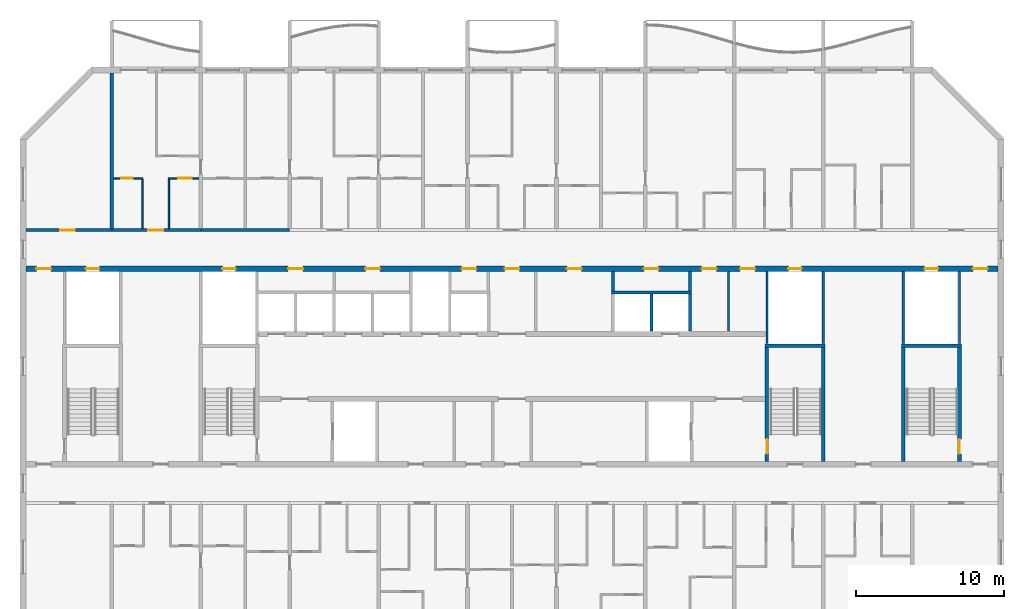
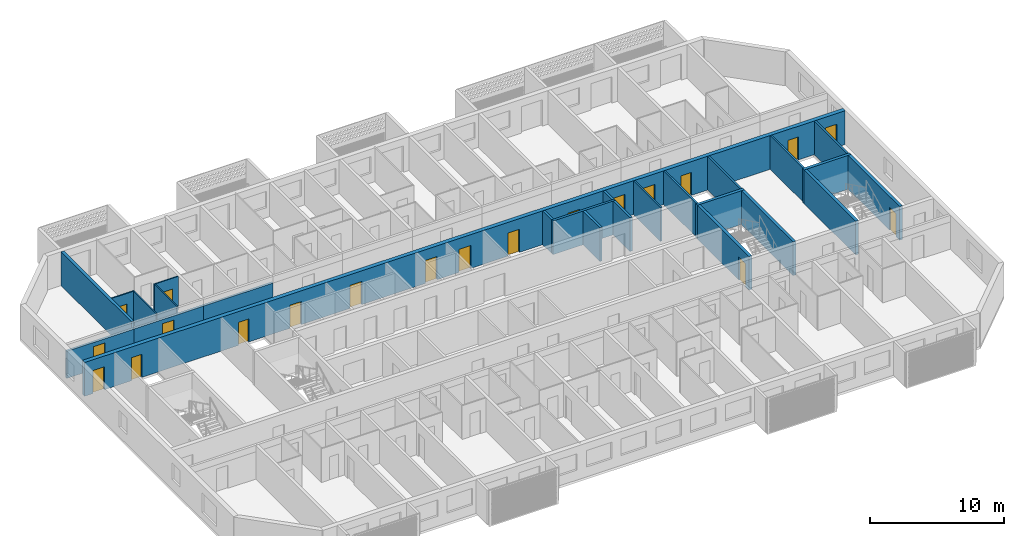
# One storey, part 7 of 26: 25 walls, 20 doors, 20 openings.
"""IFC4 building model written with IfcOpenShell, lengths in metres."""

import ifcopenshell
import ifcopenshell.guid

model = None  # the IFC model being written
_history = None  # IfcOwnerHistory: only IFC2X3 demands one
_inside = {}  # id of a spatial element -> (the spatial element, [elements in it])
_under = {}  # id of a project, library or spatial element -> (it, [spatial elements below it])
_declared = {}  # id of a project -> (the project, [libraries it declares])
_typed = {}  # id of a type object -> (the type object, [elements of that type])
_made_of = {}  # id of a material, layer set ... -> (it, [elements and type objects made of it])


def new_model(schema):
    """Start an empty IFC model of exactly this schema.

    Asked for "IFC4X3", IfcOpenShell would pick the latest addendum, in which some entities
    have other attributes; the version numbers below select the first issue.
    IFC2X3 requires an IfcOwnerHistory on every rooted entity: one is made here for all.
    """
    global model, _history
    if schema == "IFC4X3":
        model = ifcopenshell.file(schema_version=(4, 3, 0, 0))
    else:
        model = ifcopenshell.file(schema=schema)
    _inside.clear()
    _under.clear()
    _declared.clear()
    _typed.clear()
    _made_of.clear()
    _history = None
    if model.schema == "IFC2X3":
        org = make("IfcOrganization", Name="unknown")
        user = make(
            "IfcPersonAndOrganization",
            ThePerson=make("IfcPerson", FamilyName="unknown"),
            TheOrganization=org,
        )
        app = make(
            "IfcApplication",
            ApplicationDeveloper=org,
            Version="unknown",
            ApplicationFullName="unknown",
            ApplicationIdentifier="unknown",
        )
        _history = make(
            "IfcOwnerHistory",
            OwningUser=user,
            OwningApplication=app,
            ChangeAction="ADDED",
            CreationDate=0,
        )
    return model


def make(cls, **values):
    """One entity of the class cls with the attributes given. An attribute that is None is left unset."""
    return model.create_entity(
        cls, **{name: value for name, value in values.items() if value is not None}
    )


def rooted(cls, **values):
    """An entity with a GlobalId (a new one), such as an element, a storey or a relation."""
    return make(cls, GlobalId=ifcopenshell.guid.new(), OwnerHistory=_history, **values)


def si_unit(unit_type, name, prefix=None):
    """IfcSIUnit, for example si_unit("LENGTHUNIT", "METRE", prefix="MILLI")."""
    return make("IfcSIUnit", UnitType=unit_type, Prefix=prefix, Name=name)


def assignment(units):
    """IfcUnitAssignment: the units of a project."""
    return None if units is None else make("IfcUnitAssignment", Units=units)


def point(xyz):
    """IfcCartesianPoint."""
    return None if xyz is None else make("IfcCartesianPoint", Coordinates=xyz)


def direction(xyz):
    """IfcDirection."""
    return None if xyz is None else make("IfcDirection", DirectionRatios=xyz)


def frame(location, z_axis=None, x_axis=None):
    """IfcAxis2Placement3D, a coordinate frame: its origin and axes. An axis left out is left unset."""
    return make(
        "IfcAxis2Placement3D",
        Location=point(location),
        Axis=direction(z_axis),
        RefDirection=direction(x_axis),
    )


def frame_2d(location, x_axis=None):
    """IfcAxis2Placement2D, a coordinate frame in the plane: its origin and x axis."""
    return make(
        "IfcAxis2Placement2D", Location=point(location), RefDirection=direction(x_axis)
    )


def origin():
    """The frame at (0, 0, 0) with its axes left unset."""
    return frame((0.0, 0.0, 0.0))


def place(relative_to, where):
    """IfcLocalPlacement: puts the frame where relative to a parent placement (None: the world)."""
    return make(
        "IfcLocalPlacement", PlacementRelTo=relative_to, RelativePlacement=where
    )


def context(
    kind, dimensions, precision=None, world=None, true_north=None, identifier=None
):
    """IfcGeometricRepresentationContext, for example the 3D "Model" context."""
    return make(
        "IfcGeometricRepresentationContext",
        ContextIdentifier=identifier,
        ContextType=kind,
        CoordinateSpaceDimension=dimensions,
        Precision=precision,
        WorldCoordinateSystem=world,
        TrueNorth=true_north,
    )


def subcontext(parent, identifier, kind, view, scale=None):
    """IfcGeometricRepresentationSubContext, for example "Body" below "Model"."""
    return make(
        "IfcGeometricRepresentationSubContext",
        ContextIdentifier=identifier,
        ContextType=kind,
        ParentContext=parent,
        TargetScale=scale,
        TargetView=view,
    )


def project(units=None, contexts=None):
    """IfcProject with its units and contexts."""
    return rooted(
        "IfcProject",
        Name="project",
        RepresentationContexts=contexts,
        UnitsInContext=assignment(units),
    )


def spatial(cls, under=None, at=None, **own):
    """A site, building, storey or space (cls), placed at a placement, below another one or the project."""
    s = rooted(cls, ObjectPlacement=at, **own)
    if under is not None:
        _under.setdefault(under.id(), (under, []))[1].append(s)
    return s


def profile(cls, at=None, kind="AREA", **sizes):
    """A parametric profile (cls). Its sizes go by their IFC names, for example OverallWidth=200.0."""
    return make(cls, ProfileType=kind, Position=at, **sizes)


def rectangle(**sizes):
    """IfcRectangleProfileDef."""
    return profile("IfcRectangleProfileDef", **sizes)


def extrude(swept, where, along, depth):
    """IfcExtrudedAreaSolid: the profile swept, set in the frame where, extruded along a direction by depth."""
    return make(
        "IfcExtrudedAreaSolid",
        SweptArea=swept,
        Position=where,
        ExtrudedDirection=direction(along),
        Depth=depth,
    )


def shape(context_of_items, identifier, shape_type, items):
    """IfcShapeRepresentation: the items that make up one representation, for example the "Body"."""
    return make(
        "IfcShapeRepresentation",
        ContextOfItems=context_of_items,
        RepresentationIdentifier=identifier,
        RepresentationType=shape_type,
        Items=items,
    )


def material(Name=None, Category=None):
    """IfcMaterial."""
    return make("IfcMaterial", Name=Name, Category=Category)


def layer(
    of_material, thickness, ventilated=None, Name=None, Category=None, Priority=None
):
    """IfcMaterialLayer: one layer of a wall or slab, of a material (None: an air gap)."""
    return make(
        "IfcMaterialLayer",
        Material=of_material,
        LayerThickness=thickness,
        IsVentilated=ventilated,
        Name=Name,
        Category=Category,
        Priority=Priority,
    )


def layer_set(layers, Name=None):
    """IfcMaterialLayerSet."""
    return make("IfcMaterialLayerSet", MaterialLayers=layers, LayerSetName=Name)


def made_of(thing, what):
    """Note that an element or type object is made of a material, layer set ...; save() writes the relation."""
    if what is not None:
        _made_of.setdefault(what.id(), (what, []))[1].append(thing)
    return thing


def type_object(cls, material=None, **own):
    """A type object (cls), such as IfcWallType, which elements share."""
    return made_of(rooted(cls, **own), material)


def element(
    cls,
    number,
    at=None,
    inside=None,
    cuts=None,
    type_object=None,
    material=None,
    context=None,
    identifier="Body",
    shape_type=None,
    held_by="IfcProductDefinitionShape",
    body=None,
    shapes=None,
    **own,
):
    """One element of the class cls, such as IfcWall. Its Tag is "e" and its number.

    at: its placement. inside: the storey or other place that contains it. cuts: it is an
    opening in that element (IfcRelVoidsElement). A single representation is given by context,
    identifier, shape_type and body (its items); several are given by shapes. held_by: the class
    of the entity that holds the representations. save() writes the other relations.
    """
    e = rooted(cls, Tag="e%d" % number, ObjectPlacement=at, **own)
    if body is not None:
        shapes = [shape(context, identifier, shape_type, body)]
    if shapes is not None:
        e.Representation = make(held_by, Representations=shapes)
    if inside is not None:
        _inside.setdefault(inside.id(), (inside, []))[1].append(e)
    if cuts is not None:
        rooted(
            "IfcRelVoidsElement", RelatingBuildingElement=cuts, RelatedOpeningElement=e
        )
    if type_object is not None:
        _typed.setdefault(type_object.id(), (type_object, []))[1].append(e)
    return made_of(e, material)


def fill(opening, filler):
    """IfcRelFillsElement: the door or window that sits in an opening."""
    return rooted(
        "IfcRelFillsElement",
        RelatingOpeningElement=opening,
        RelatedBuildingElement=filler,
    )


def aggregate(whole, parts):
    """IfcRelAggregates: a whole, such as a stair, and the parts it consists of."""
    return rooted("IfcRelAggregates", RelatingObject=whole, RelatedObjects=parts)


def save(model, path):
    """Write the relations noted so far, then the file.

    IfcRelAggregates (storeys below a building ...), IfcRelContainedInSpatialStructure (elements
    in a storey), IfcRelDefinesByType, IfcRelAssociatesMaterial and IfcRelDeclares: one each for
    every whole, place, type object, material and project.
    """
    for whole, parts in _under.values():
        aggregate(whole, parts)
    for where, things in _inside.values():
        rooted(
            "IfcRelContainedInSpatialStructure",
            RelatedElements=things,
            RelatingStructure=where,
        )
    for kind, things in _typed.values():
        rooted("IfcRelDefinesByType", RelatedObjects=things, RelatingType=kind)
    for what, things in _made_of.values():
        rooted("IfcRelAssociatesMaterial", RelatedObjects=things, RelatingMaterial=what)
    for by, libraries in _declared.values():
        rooted("IfcRelDeclares", RelatingContext=by, RelatedDefinitions=libraries)
    model.write(path)


model = new_model("IFC4")

# Units and contexts
model_context = context("Model", 3, precision=1e-05, world=origin(), true_north=direction((0.0, 1.0)))
body_context = subcontext(model_context, "Body", "Model", "MODEL_VIEW")
ifc_project = project(units=[si_unit("LENGTHUNIT", "METRE"), si_unit("AREAUNIT", "SQUARE_METRE"), si_unit("VOLUMEUNIT", "CUBIC_METRE"), si_unit("PLANEANGLEUNIT", "RADIAN"), si_unit("MASSUNIT", "GRAM", prefix="KILO")], contexts=[model_context])

# Site, building, storey
site_placement = place(None, origin())
site = spatial("IfcSite", under=ifc_project, at=site_placement, CompositionType="ELEMENT")
building_placement = place(site_placement, origin())
building = spatial("IfcBuilding", under=site, at=building_placement, Name="Poui Terraces", CompositionType="ELEMENT")
storey_placement = place(building_placement, frame((0.0, 0.0, 241.199951171875)))
storey = spatial("IfcBuildingStorey", under=building, at=storey_placement, Name="L67", CompositionType="ELEMENT", Elevation=241.199951171875)

# Wall, opening, door
ifc_material_1 = material(Name="Concrete 50 MPa", Category="concrete")
ifc_layer_1 = layer(ifc_material_1, 0.199951171875)
ifc_layer_set_1 = layer_set([ifc_layer_1], Name="Concrete 50 MPa")
wall_type_1 = type_object("IfcWallType", Name="CORRIDOR WALL 200 50MPa", PredefinedType="SHEAR", material=ifc_layer_set_1)
wall_1_placement = place(storey_placement, frame((18.199951171875, 30.39990234375, 0.0), z_axis=(0.0, 0.0, 1.0), x_axis=(1.0, 0.0, 0.0)))
wall_1 = element("IfcWall", 1, at=wall_1_placement, inside=storey, type_object=wall_type_1, Name="CORRIDOR WALL LINE E BAY 1", PredefinedType="SHEAR", context=body_context, shape_type="SweptSolid", body=[
    extrude(rectangle(XDim=5.800048828125, YDim=0.199951171875, at=frame_2d((2.89990234375, 0.0))), origin(), (0.0, 0.0, 1.0), 2.47998046875),
])
opening_1_placement = place(wall_1_placement, frame((2.300048828125, 0.0, 0.0)))
opening_1 = element("IfcOpeningElement", 2, at=opening_1_placement, cuts=wall_1, Name="Opening D100", PredefinedType="OPENING", context=body_context, shape_type="SweptSolid", body=[
    extrude(rectangle(XDim=1.0, YDim=2.10009765625, at=frame_2d((0.5, 1.050048828125))), frame((0.0, 0.10986328125, 0.0), z_axis=(0.0, -1.0, 0.0), x_axis=(1.0, 0.0, 0.0)), (0.0, 0.0, 1.0), 0.219970703125),
])
ifc_material_2 = material(Name="Solid core timber door", Category="wood")
door_type_1 = type_object("IfcDoorType", Name="ACCESSIBLE INTERNAL DOOR 1000 X 2100", OperationType="NOTDEFINED", PredefinedType="DOOR", material=ifc_material_2)
door_1_placement = place(opening_1_placement, origin())
door_1 = element("IfcDoor", 3, at=door_1_placement, inside=storey, type_object=door_type_1, Name="ACCESSIBLE INTERNAL DOOR 025", OperationType="SINGLE_SWING_LEFT", OverallHeight=2.10009765625, OverallWidth=1.0, PredefinedType="DOOR", context=body_context, shape_type="SweptSolid", body=[
    extrude(rectangle(XDim=1.0, YDim=2.10009765625, at=frame_2d((0.5, 1.050048828125))), frame((0.0, 0.02490234375, 0.0), z_axis=(0.0, -1.0, 0.0), x_axis=(1.0, 0.0, 0.0)), (0.0, 0.0, 1.0), 0.050048828125),
])
fill(opening_1, door_1)

wall_2_placement = place(storey_placement, frame((24.0, 30.39990234375, 0.0), z_axis=(0.0, 0.0, 1.0), x_axis=(1.0, 0.0, 0.0)))
wall_2 = element("IfcWall", 4, at=wall_2_placement, inside=storey, type_object=wall_type_1, Name="CORRIDOR WALL LINE E BAY 2", PredefinedType="SHEAR", context=body_context, shape_type="SweptSolid", body=[
    extrude(rectangle(XDim=6.0, YDim=0.199951171875, at=frame_2d((3.0, 0.0))), origin(), (0.0, 0.0, 1.0), 2.47998046875),
])
opening_2_placement = place(wall_2_placement, frame((2.449951171875, 0.0, 0.0)))
opening_2 = element("IfcOpeningElement", 5, at=opening_2_placement, cuts=wall_2, Name="Opening FD30S", PredefinedType="OPENING", context=body_context, shape_type="SweptSolid", body=[
    extrude(rectangle(XDim=1.0, YDim=2.10009765625, at=frame_2d((0.5, 1.050048828125))), frame((0.0, 0.10986328125, 0.0), z_axis=(0.0, -1.0, 0.0), x_axis=(1.0, 0.0, 0.0)), (0.0, 0.0, 1.0), 0.219970703125),
])
ifc_material_3 = material(Name="Steel fire door", Category="steel")
door_type_2 = type_object("IfcDoorType", Name="FLAT ENTRANCE DOOR 1000 X 2100", OperationType="NOTDEFINED", PredefinedType="DOOR", material=ifc_material_3)
door_2_placement = place(opening_2_placement, origin())
door_2 = element("IfcDoor", 6, at=door_2_placement, inside=storey, type_object=door_type_2, Name="FLAT ENTRANCE DOOR 028", OperationType="SINGLE_SWING_LEFT", OverallHeight=2.10009765625, OverallWidth=1.0, PredefinedType="DOOR", context=body_context, shape_type="SweptSolid", body=[
    extrude(rectangle(XDim=1.0, YDim=2.10009765625, at=frame_2d((0.5, 1.050048828125))), frame((0.0, 0.02490234375, 0.0), z_axis=(0.0, -1.0, 0.0), x_axis=(1.0, 0.0, 0.0)), (0.0, 0.0, 1.0), 0.050048828125),
])
fill(opening_2, door_2)

# Walls
wall_3_placement = place(storey_placement, frame((30.0, 30.39990234375, 0.0), z_axis=(0.0, 0.0, 1.0), x_axis=(1.0, 0.0, 0.0)))
element("IfcWall", 7, at=wall_3_placement, inside=storey, type_object=wall_type_1, Name="CORRIDOR WALL LINE E BAY 3", PredefinedType="SHEAR", context=body_context, shape_type="SweptSolid", body=[
    extrude(rectangle(XDim=6.0, YDim=0.199951171875, at=frame_2d((3.0, 0.0))), origin(), (0.0, 0.0, 1.0), 2.47998046875),
])
ifc_layer_2 = layer(ifc_material_1, 0.25)
ifc_layer_set_2 = layer_set([ifc_layer_2], Name="Concrete 50 MPa")
wall_type_2 = type_object("IfcWallType", Name="CROSS WALL 250 50MPa", PredefinedType="SHEAR", material=ifc_layer_set_2)
wall_4_placement = place(storey_placement, frame((24.0, 30.5, 0.0), z_axis=(0.0, 0.0, 1.0), x_axis=(0.0, 1.0, 0.0)))
element("IfcWall", 8, at=wall_4_placement, inside=storey, type_object=wall_type_2, Name="CROSS WALL LINE 5 NORTH", PredefinedType="SHEAR", context=body_context, shape_type="SweptSolid", body=[
    extrude(rectangle(XDim=10.5, YDim=0.25, at=frame_2d((5.25, 0.0))), origin(), (0.0, 0.0, 1.0), 3.080078125),
])

# Wall, opening, door
ifc_material_4 = material(Name="Plasterboard partition")
ifc_layer_3 = layer(ifc_material_4, 0.10009765625)
ifc_layer_set_3 = layer_set([ifc_layer_3], Name="Plasterboard partition")
wall_type_3 = type_object("IfcWallType", Name="FLAT PARTITION 100", PredefinedType="PARTITIONING", material=ifc_layer_set_3)
wall_5_placement = place(storey_placement, frame((24.135009765625, 33.89990234375, 0.0), z_axis=(0.0, 0.0, 1.0), x_axis=(1.0, 0.0, 0.0)))
wall_5 = element("IfcWall", 9, at=wall_5_placement, inside=storey, type_object=wall_type_3, Name="FLAT PARTITION 100", PredefinedType="PARTITIONING", context=body_context, shape_type="SweptSolid", body=[
    extrude(rectangle(XDim=1.965087890625, YDim=0.10009765625, at=frame_2d((0.982421875, 0.0))), origin(), (0.0, 0.0, 1.0), 3.080078125),
])
opening_3_placement = place(wall_5_placement, frame((0.489990234375, 0.0, 0.0)))
opening_3 = element("IfcOpeningElement", 10, at=opening_3_placement, cuts=wall_5, Name="Opening D80", PredefinedType="OPENING", context=body_context, shape_type="SweptSolid", body=[
    extrude(rectangle(XDim=0.800048828125, YDim=2.10009765625, at=frame_2d((0.39990234375, 1.050048828125))), frame((0.0, 0.06005859375, 0.0), z_axis=(0.0, -1.0, 0.0), x_axis=(1.0, 0.0, 0.0)), (0.0, 0.0, 1.0), 0.1201171875),
])
door_type_3 = type_object("IfcDoorType", Name="BATHROOM, LAUNDRY AND STORE DOOR 800 X 2100", OperationType="NOTDEFINED", PredefinedType="DOOR", material=ifc_material_2)
door_3_placement = place(opening_3_placement, frame((0.800048828125, 0.0, 0.0), z_axis=(0.0, 0.0, 1.0), x_axis=(-1.0, 0.0, 0.0)))
door_3 = element("IfcDoor", 11, at=door_3_placement, inside=storey, type_object=door_type_3, Name="BATHROOM, LAUNDRY AND STORE DOOR 027", OperationType="SINGLE_SWING_LEFT", OverallHeight=2.10009765625, OverallWidth=0.800048828125, PredefinedType="DOOR", context=body_context, shape_type="SweptSolid", body=[
    extrude(rectangle(XDim=0.800048828125, YDim=2.10009765625, at=frame_2d((0.39990234375, 1.050048828125))), frame((0.0, 0.02490234375, 0.0), z_axis=(0.0, -1.0, 0.0), x_axis=(1.0, 0.0, 0.0)), (0.0, 0.0, 1.0), 0.050048828125),
])
fill(opening_3, door_3)

wall_6_placement = place(storey_placement, frame((27.800048828125, 33.89990234375, 0.0), z_axis=(0.0, 0.0, 1.0), x_axis=(1.0, 0.0, 0.0)))
wall_6 = element("IfcWall", 12, at=wall_6_placement, inside=storey, type_object=wall_type_3, Name="FLAT PARTITION 100", PredefinedType="PARTITIONING", context=body_context, shape_type="SweptSolid", body=[
    extrude(rectangle(XDim=2.06494140625, YDim=0.10009765625, at=frame_2d((1.032470703125, 0.0))), origin(), (0.0, 0.0, 1.0), 3.080078125),
])
opening_4_placement = place(wall_6_placement, frame((0.675048828125, 0.0, 0.0)))
opening_4 = element("IfcOpeningElement", 13, at=opening_4_placement, cuts=wall_6, Name="Opening D90", PredefinedType="OPENING", context=body_context, shape_type="SweptSolid", body=[
    extrude(rectangle(XDim=0.89990234375, YDim=2.10009765625, at=frame_2d((0.449951171875, 1.050048828125))), frame((0.0, 0.06005859375, 0.0), z_axis=(0.0, -1.0, 0.0), x_axis=(1.0, 0.0, 0.0)), (0.0, 0.0, 1.0), 0.1201171875),
])
door_type_4 = type_object("IfcDoorType", Name="INTERNAL DOOR 900 X 2100", OperationType="NOTDEFINED", PredefinedType="DOOR", material=ifc_material_2)
door_4_placement = place(opening_4_placement, frame((0.89990234375, 0.0, 0.0), z_axis=(0.0, 0.0, 1.0), x_axis=(-1.0, 0.0, 0.0)))
door_4 = element("IfcDoor", 14, at=door_4_placement, inside=storey, type_object=door_type_4, Name="INTERNAL DOOR 030", OperationType="SINGLE_SWING_RIGHT", OverallHeight=2.10009765625, OverallWidth=0.89990234375, PredefinedType="DOOR", context=body_context, shape_type="SweptSolid", body=[
    extrude(rectangle(XDim=0.89990234375, YDim=2.10009765625, at=frame_2d((0.449951171875, 1.050048828125))), frame((0.0, 0.02490234375, 0.0), z_axis=(0.0, -1.0, 0.0), x_axis=(1.0, 0.0, 0.0)), (0.0, 0.0, 1.0), 0.050048828125),
])
fill(opening_4, door_4)

# Walls
for number, where, z_axis, x_axis, name in (
    (15, (26.050048828125, 30.510009765625, 0.0), (0.0, 0.0, 1.0), (0.0, 1.0, 0.0), "FLAT PARTITION 100"),
    (16, (27.85009765625, 30.510009765625, 0.0), (0.0, 0.0, 1.0), (0.0, 1.0, 0.0), "FLAT PARTITION 100"),
):
    element("IfcWall", number, at=place(storey_placement, frame(where, z_axis=z_axis, x_axis=x_axis)), inside=storey, type_object=wall_type_3, Name=name, PredefinedType="PARTITIONING", context=body_context, shape_type="SweptSolid", body=[
        extrude(rectangle(XDim=3.340087890625, YDim=0.10009765625, at=frame_2d((1.669921875, 0.0))), origin(), (0.0, 0.0, 1.0), 3.080078125),
    ])
ifc_layer_4 = layer(ifc_material_4, 0.14990234375)
ifc_layer_set_4 = layer_set([ifc_layer_4], Name="Plasterboard partition")
wall_type_4 = type_object("IfcWallType", Name="PARTITION WALL 150", PredefinedType="PARTITIONING", material=ifc_layer_set_4)
wall_7_placement = place(storey_placement, frame((65.60009765625, 23.5849609375, 0.0), z_axis=(0.0, 0.0, 1.0), x_axis=(0.0, 1.0, 0.0)))
element("IfcWall", 17, at=wall_7_placement, inside=storey, type_object=wall_type_4, Name="PARTITION WALL 150", PredefinedType="PARTITIONING", context=body_context, shape_type="SweptSolid", body=[
    extrude(rectangle(XDim=4.030029296875, YDim=0.14990234375, at=frame_2d((2.01513671875, 0.0))), origin(), (0.0, 0.0, 1.0), 3.080078125),
])
ifc_material_5 = material(Name="Fire-rated masonry wall", Category="masonry")
ifc_layer_5 = layer(ifc_material_5, 0.199951171875)
ifc_layer_set_5 = layer_set([ifc_layer_5], Name="Fire-rated masonry wall")
wall_type_5 = type_object("IfcWallType", Name="PLANT ROOM WALL 200", PredefinedType="PARTITIONING", material=ifc_layer_set_5)
for number, where, z_axis, x_axis, name in (
    (18, (57.800048828125, 26.300048828125, 0.0), (0.0, 0.0, 1.0), (0.0, 1.0, 0.0), "PLANT ROOM WALL 200"),
    (19, (63.0, 26.300048828125, 0.0), (0.0, 0.0, 1.0), (0.0, 1.0, 0.0), "PLANT ROOM WALL 200"),
):
    element("IfcWall", number, at=place(storey_placement, frame(where, z_axis=z_axis, x_axis=x_axis)), inside=storey, type_object=wall_type_5, Name=name, PredefinedType="PARTITIONING", context=body_context, shape_type="SweptSolid", body=[
        extrude(rectangle(XDim=1.31494140625, YDim=0.199951171875, at=frame_2d((0.657470703125, 0.0))), origin(), (0.0, 0.0, 1.0), 3.080078125),
    ])
ifc_material_6 = material(Name="Fire-rated plasterboard riser wall")
ifc_layer_6 = layer(ifc_material_6, 0.14990234375)
ifc_layer_set_6 = layer_set([ifc_layer_6], Name="Fire-rated plasterboard riser wall")
wall_type_6 = type_object("IfcWallType", Name="RISER WALL 150", PredefinedType="PARTITIONING", material=ifc_layer_set_6)
for number, where, z_axis, x_axis, name in (
    (20, (68.199951171875, 22.735107421875, 0.0), (0.0, 0.0, 1.0), (0.0, 1.0, 0.0), "RISER WALL 150"),
    (21, (72.0, 22.735107421875, 0.0), (0.0, 0.0, 1.0), (0.0, 1.0, 0.0), "RISER WALL 150"),
    (22, (77.39990234375, 22.735107421875, 0.0), (0.0, 0.0, 1.0), (0.0, 1.0, 0.0), "RISER WALL 150"),
    (23, (81.199951171875, 22.735107421875, 0.0), (0.0, 0.0, 1.0), (0.0, 1.0, 0.0), "RISER WALL 150"),
):
    element("IfcWall", number, at=place(storey_placement, frame(where, z_axis=z_axis, x_axis=x_axis)), inside=storey, type_object=wall_type_6, Name=name, PredefinedType="PARTITIONING", context=body_context, shape_type="SweptSolid", body=[
        extrude(rectangle(XDim=4.8798828125, YDim=0.14990234375, at=frame_2d((2.43994140625, 0.0))), origin(), (0.0, 0.0, 1.0), 3.080078125),
    ])
ifc_material_7 = material(Name="Fire-rated masonry shaft wall", Category="masonry")
ifc_layer_7 = layer(ifc_material_7, 0.199951171875)
ifc_layer_set_7 = layer_set([ifc_layer_7], Name="Fire-rated masonry shaft wall")
wall_type_7 = type_object("IfcWallType", Name="SHAFT WALL 200", PredefinedType="PARTITIONING", material=ifc_layer_set_7)
wall_8_placement = place(storey_placement, frame((57.699951171875, 26.199951171875, 0.0), z_axis=(0.0, 0.0, 1.0), x_axis=(1.0, 0.0, 0.0)))
element("IfcWall", 24, at=wall_8_placement, inside=storey, type_object=wall_type_7, Name="SHAFT WALL 200", PredefinedType="PARTITIONING", context=body_context, shape_type="SweptSolid", body=[
    extrude(rectangle(XDim=5.400146484375, YDim=0.199951171875, at=frame_2d((2.7001953125, 0.0))), origin(), (0.0, 0.0, 1.0), 3.080078125),
])
for number, where, z_axis, x_axis, name in (
    (25, (60.39990234375, 23.5849609375, 0.0), (0.0, 0.0, 1.0), (0.0, 1.0, 0.0), "SHAFT WALL 200"),
    (26, (63.0, 23.5849609375, 0.0), (0.0, 0.0, 1.0), (0.0, 1.0, 0.0), "SHAFT WALL 200"),
):
    element("IfcWall", number, at=place(storey_placement, frame(where, z_axis=z_axis, x_axis=x_axis)), inside=storey, type_object=wall_type_7, Name=name, PredefinedType="PARTITIONING", context=body_context, shape_type="SweptSolid", body=[
        extrude(rectangle(XDim=2.51513671875, YDim=0.199951171875, at=frame_2d((1.257568359375, 0.0))), origin(), (0.0, 0.0, 1.0), 3.080078125),
    ])

# Wall, openings, doors
ifc_layer_8 = layer(ifc_material_1, 0.35009765625)
ifc_layer_set_8 = layer_set([ifc_layer_8], Name="Concrete 50 MPa")
wall_type_8 = type_object("IfcWallType", Name="SPINE WALL 350 50 MPA", PredefinedType="SOLIDWALL", material=ifc_layer_set_8)
wall_9_placement = place(storey_placement, frame((18.199951171875, 27.800048828125, 0.0), z_axis=(0.0, 0.0, 1.0), x_axis=(1.0, 0.0, 0.0)))
wall_9 = element("IfcWall", 27, at=wall_9_placement, inside=storey, type_object=wall_type_8, Name="SPINE WALL", PredefinedType="SOLIDWALL", context=body_context, shape_type="SweptSolid", body=[
    extrude(rectangle(XDim=65.60009765625, YDim=0.35009765625, at=frame_2d((32.800048828125, 0.0))), origin(), (0.0, 0.0, 1.0), 3.080078125),
])
opening_5_placement = place(wall_9_placement, frame((0.699951171875, 0.0, 0.0)))
opening_5 = element("IfcOpeningElement", 28, at=opening_5_placement, cuts=wall_9, Name="Opening FDL", PredefinedType="OPENING", context=body_context, shape_type="SweptSolid", body=[
    extrude(rectangle(XDim=1.0, YDim=2.10009765625, at=frame_2d((0.5, 1.050048828125))), frame((0.0, 0.18505859375, 0.0), z_axis=(0.0, -1.0, 0.0), x_axis=(1.0, 0.0, 0.0)), (0.0, 0.0, 1.0), 0.3701171875),
])
opening_6_placement = place(wall_9_placement, frame((4.050048828125, 0.0, 0.0)))
opening_6 = element("IfcOpeningElement", 29, at=opening_6_placement, cuts=wall_9, Name="Opening FDR", PredefinedType="OPENING", context=body_context, shape_type="SweptSolid", body=[
    extrude(rectangle(XDim=0.89990234375, YDim=2.10009765625, at=frame_2d((0.449951171875, 1.050048828125))), frame((0.0, 0.18505859375, 0.0), z_axis=(0.0, -1.0, 0.0), x_axis=(1.0, 0.0, 0.0)), (0.0, 0.0, 1.0), 0.3701171875),
])
opening_7_placement = place(wall_9_placement, frame((13.25, 0.0, 0.0)))
opening_7 = element("IfcOpeningElement", 30, at=opening_7_placement, cuts=wall_9, Name="Opening FDR", PredefinedType="OPENING", context=body_context, shape_type="SweptSolid", body=[
    extrude(rectangle(XDim=0.89990234375, YDim=2.10009765625, at=frame_2d((0.449951171875, 1.050048828125))), frame((0.0, 0.18505859375, 0.0), z_axis=(0.0, -1.0, 0.0), x_axis=(1.0, 0.0, 0.0)), (0.0, 0.0, 1.0), 0.3701171875),
])
opening_8_placement = place(wall_9_placement, frame((17.699951171875, 0.0, 0.0)))
opening_8 = element("IfcOpeningElement", 31, at=opening_8_placement, cuts=wall_9, Name="Opening FD60", PredefinedType="OPENING", context=body_context, shape_type="SweptSolid", body=[
    extrude(rectangle(XDim=1.0, YDim=2.10009765625, at=frame_2d((0.5, 1.050048828125))), frame((0.0, 0.18505859375, 0.0), z_axis=(0.0, -1.0, 0.0), x_axis=(1.0, 0.0, 0.0)), (0.0, 0.0, 1.0), 0.3701171875),
])
opening_9_placement = place(wall_9_placement, frame((22.89990234375, 0.0, 0.0)))
opening_9 = element("IfcOpeningElement", 32, at=opening_9_placement, cuts=wall_9, Name="Opening FD60", PredefinedType="OPENING", context=body_context, shape_type="SweptSolid", body=[
    extrude(rectangle(XDim=1.0, YDim=2.10009765625, at=frame_2d((0.5, 1.050048828125))), frame((0.0, 0.18505859375, 0.0), z_axis=(0.0, -1.0, 0.0), x_axis=(1.0, 0.0, 0.0)), (0.0, 0.0, 1.0), 0.3701171875),
])
opening_10_placement = place(wall_9_placement, frame((29.39990234375, 0.0, 0.0)))
opening_10 = element("IfcOpeningElement", 33, at=opening_10_placement, cuts=wall_9, Name="Opening FD60", PredefinedType="OPENING", context=body_context, shape_type="SweptSolid", body=[
    extrude(rectangle(XDim=1.0, YDim=2.10009765625, at=frame_2d((0.5, 1.050048828125))), frame((0.0, 0.18505859375, 0.0), z_axis=(0.0, -1.0, 0.0), x_axis=(1.0, 0.0, 0.0)), (0.0, 0.0, 1.0), 0.3701171875),
])
opening_11_placement = place(wall_9_placement, frame((32.300048828125, 0.0, 0.0)))
opening_11 = element("IfcOpeningElement", 34, at=opening_11_placement, cuts=wall_9, Name="Opening FDL", PredefinedType="OPENING", context=body_context, shape_type="SweptSolid", body=[
    extrude(rectangle(XDim=1.0, YDim=2.10009765625, at=frame_2d((0.5, 1.050048828125))), frame((0.0, 0.18505859375, 0.0), z_axis=(0.0, -1.0, 0.0), x_axis=(1.0, 0.0, 0.0)), (0.0, 0.0, 1.0), 0.3701171875),
])
opening_12_placement = place(wall_9_placement, frame((36.5, 0.0, 0.0)))
opening_12 = element("IfcOpeningElement", 35, at=opening_12_placement, cuts=wall_9, Name="Opening FD60", PredefinedType="OPENING", context=body_context, shape_type="SweptSolid", body=[
    extrude(rectangle(XDim=1.0, YDim=2.10009765625, at=frame_2d((0.5, 1.050048828125))), frame((0.0, 0.18505859375, 0.0), z_axis=(0.0, -1.0, 0.0), x_axis=(1.0, 0.0, 0.0)), (0.0, 0.0, 1.0), 0.3701171875),
])
opening_13_placement = place(wall_9_placement, frame((41.699951171875, 0.0, 0.0)))
opening_13 = element("IfcOpeningElement", 36, at=opening_13_placement, cuts=wall_9, Name="Opening FD60", PredefinedType="OPENING", context=body_context, shape_type="SweptSolid", body=[
    extrude(rectangle(XDim=1.0, YDim=2.10009765625, at=frame_2d((0.5, 1.050048828125))), frame((0.0, 0.18505859375, 0.0), z_axis=(0.0, -1.0, 0.0), x_axis=(1.0, 0.0, 0.0)), (0.0, 0.0, 1.0), 0.3701171875),
])
opening_14_placement = place(wall_9_placement, frame((45.60009765625, 0.0, 0.0)))
opening_14 = element("IfcOpeningElement", 37, at=opening_14_placement, cuts=wall_9, Name="Opening FD60", PredefinedType="OPENING", context=body_context, shape_type="SweptSolid", body=[
    extrude(rectangle(XDim=1.0, YDim=2.10009765625, at=frame_2d((0.5, 1.050048828125))), frame((0.0, 0.18505859375, 0.0), z_axis=(0.0, -1.0, 0.0), x_axis=(1.0, 0.0, 0.0)), (0.0, 0.0, 1.0), 0.3701171875),
])
opening_15_placement = place(wall_9_placement, frame((48.199951171875, 0.0, 0.0)))
opening_15 = element("IfcOpeningElement", 38, at=opening_15_placement, cuts=wall_9, Name="Opening FD60", PredefinedType="OPENING", context=body_context, shape_type="SweptSolid", body=[
    extrude(rectangle(XDim=1.0, YDim=2.10009765625, at=frame_2d((0.5, 1.050048828125))), frame((0.0, 0.18505859375, 0.0), z_axis=(0.0, -1.0, 0.0), x_axis=(1.0, 0.0, 0.0)), (0.0, 0.0, 1.0), 0.3701171875),
])
opening_16_placement = place(wall_9_placement, frame((51.449951171875, 0.0, 0.0)))
opening_16 = element("IfcOpeningElement", 39, at=opening_16_placement, cuts=wall_9, Name="Opening FDR", PredefinedType="OPENING", context=body_context, shape_type="SweptSolid", body=[
    extrude(rectangle(XDim=0.89990234375, YDim=2.10009765625, at=frame_2d((0.449951171875, 1.050048828125))), frame((0.0, 0.18505859375, 0.0), z_axis=(0.0, -1.0, 0.0), x_axis=(1.0, 0.0, 0.0)), (0.0, 0.0, 1.0), 0.3701171875),
])
opening_17_placement = place(wall_9_placement, frame((60.64990234375, 0.0, 0.0)))
opening_17 = element("IfcOpeningElement", 40, at=opening_17_placement, cuts=wall_9, Name="Opening FDR", PredefinedType="OPENING", context=body_context, shape_type="SweptSolid", body=[
    extrude(rectangle(XDim=0.89990234375, YDim=2.10009765625, at=frame_2d((0.449951171875, 1.050048828125))), frame((0.0, 0.18505859375, 0.0), z_axis=(0.0, -1.0, 0.0), x_axis=(1.0, 0.0, 0.0)), (0.0, 0.0, 1.0), 0.3701171875),
])
opening_18_placement = place(wall_9_placement, frame((63.89990234375, 0.0, 0.0)))
opening_18 = element("IfcOpeningElement", 41, at=opening_18_placement, cuts=wall_9, Name="Opening FDL", PredefinedType="OPENING", context=body_context, shape_type="SweptSolid", body=[
    extrude(rectangle(XDim=1.0, YDim=2.10009765625, at=frame_2d((0.5, 1.050048828125))), frame((0.0, 0.18505859375, 0.0), z_axis=(0.0, -1.0, 0.0), x_axis=(1.0, 0.0, 0.0)), (0.0, 0.0, 1.0), 0.3701171875),
])
door_type_5 = type_object("IfcDoorType", Name="LOBBY FIRE DOOR 1000 X 2100", OperationType="NOTDEFINED", PredefinedType="DOOR", material=ifc_material_3)
door_5_placement = place(opening_5_placement, origin())
door_5 = element("IfcDoor", 42, at=door_5_placement, inside=storey, type_object=door_type_5, Name="LOBBY FIRE DOOR 001", OperationType="SINGLE_SWING_LEFT", OverallHeight=2.10009765625, OverallWidth=1.0, PredefinedType="DOOR", context=body_context, shape_type="SweptSolid", body=[
    extrude(rectangle(XDim=1.0, YDim=2.10009765625, at=frame_2d((0.5, 1.050048828125))), frame((0.0, 0.02490234375, 0.0), z_axis=(0.0, -1.0, 0.0), x_axis=(1.0, 0.0, 0.0)), (0.0, 0.0, 1.0), 0.050048828125),
])
fill(opening_5, door_5)
door_6_placement = place(opening_11_placement, origin())
door_6 = element("IfcDoor", 43, at=door_6_placement, inside=storey, type_object=door_type_5, Name="LOBBY FIRE DOOR 007", OperationType="SINGLE_SWING_RIGHT", OverallHeight=2.10009765625, OverallWidth=1.0, PredefinedType="DOOR", context=body_context, shape_type="SweptSolid", body=[
    extrude(rectangle(XDim=1.0, YDim=2.10009765625, at=frame_2d((0.5, 1.050048828125))), frame((0.0, 0.02490234375, 0.0), z_axis=(0.0, -1.0, 0.0), x_axis=(1.0, 0.0, 0.0)), (0.0, 0.0, 1.0), 0.050048828125),
])
fill(opening_11, door_6)
door_7_placement = place(opening_18_placement, origin())
door_7 = element("IfcDoor", 44, at=door_7_placement, inside=storey, type_object=door_type_5, Name="LOBBY FIRE DOOR 014", OperationType="SINGLE_SWING_RIGHT", OverallHeight=2.10009765625, OverallWidth=1.0, PredefinedType="DOOR", context=body_context, shape_type="SweptSolid", body=[
    extrude(rectangle(XDim=1.0, YDim=2.10009765625, at=frame_2d((0.5, 1.050048828125))), frame((0.0, 0.02490234375, 0.0), z_axis=(0.0, -1.0, 0.0), x_axis=(1.0, 0.0, 0.0)), (0.0, 0.0, 1.0), 0.050048828125),
])
fill(opening_18, door_7)
door_type_6 = type_object("IfcDoorType", Name="RISER CUPBOARD DOOR 900 X 2100", OperationType="NOTDEFINED", PredefinedType="DOOR", material=ifc_material_3)
door_8_placement = place(opening_6_placement, origin())
door_8 = element("IfcDoor", 45, at=door_8_placement, inside=storey, type_object=door_type_6, Name="RISER CUPBOARD DOOR 002", OperationType="SINGLE_SWING_LEFT", OverallHeight=2.10009765625, OverallWidth=0.89990234375, PredefinedType="DOOR", context=body_context, shape_type="SweptSolid", body=[
    extrude(rectangle(XDim=0.89990234375, YDim=2.10009765625, at=frame_2d((0.449951171875, 1.050048828125))), frame((0.0, 0.02490234375, 0.0), z_axis=(0.0, -1.0, 0.0), x_axis=(1.0, 0.0, 0.0)), (0.0, 0.0, 1.0), 0.050048828125),
])
fill(opening_6, door_8)
door_9_placement = place(opening_7_placement, origin())
door_9 = element("IfcDoor", 46, at=door_9_placement, inside=storey, type_object=door_type_6, Name="RISER CUPBOARD DOOR 003", OperationType="SINGLE_SWING_LEFT", OverallHeight=2.10009765625, OverallWidth=0.89990234375, PredefinedType="DOOR", context=body_context, shape_type="SweptSolid", body=[
    extrude(rectangle(XDim=0.89990234375, YDim=2.10009765625, at=frame_2d((0.449951171875, 1.050048828125))), frame((0.0, 0.02490234375, 0.0), z_axis=(0.0, -1.0, 0.0), x_axis=(1.0, 0.0, 0.0)), (0.0, 0.0, 1.0), 0.050048828125),
])
fill(opening_7, door_9)
door_10_placement = place(opening_16_placement, origin())
door_10 = element("IfcDoor", 47, at=door_10_placement, inside=storey, type_object=door_type_6, Name="RISER CUPBOARD DOOR 012", OperationType="SINGLE_SWING_RIGHT", OverallHeight=2.10009765625, OverallWidth=0.89990234375, PredefinedType="DOOR", context=body_context, shape_type="SweptSolid", body=[
    extrude(rectangle(XDim=0.89990234375, YDim=2.10009765625, at=frame_2d((0.449951171875, 1.050048828125))), frame((0.0, 0.02490234375, 0.0), z_axis=(0.0, -1.0, 0.0), x_axis=(1.0, 0.0, 0.0)), (0.0, 0.0, 1.0), 0.050048828125),
])
fill(opening_16, door_10)
door_11_placement = place(opening_17_placement, origin())
door_11 = element("IfcDoor", 48, at=door_11_placement, inside=storey, type_object=door_type_6, Name="RISER CUPBOARD DOOR 013", OperationType="SINGLE_SWING_RIGHT", OverallHeight=2.10009765625, OverallWidth=0.89990234375, PredefinedType="DOOR", context=body_context, shape_type="SweptSolid", body=[
    extrude(rectangle(XDim=0.89990234375, YDim=2.10009765625, at=frame_2d((0.449951171875, 1.050048828125))), frame((0.0, 0.02490234375, 0.0), z_axis=(0.0, -1.0, 0.0), x_axis=(1.0, 0.0, 0.0)), (0.0, 0.0, 1.0), 0.050048828125),
])
fill(opening_17, door_11)
door_type_7 = type_object("IfcDoorType", Name="SERVICE ROOM FIRE DOOR 1000 X 2100", OperationType="NOTDEFINED", PredefinedType="DOOR", material=ifc_material_3)
door_12_placement = place(opening_8_placement, origin())
door_12 = element("IfcDoor", 49, at=door_12_placement, inside=storey, type_object=door_type_7, Name="SERVICE ROOM FIRE DOOR 004", OperationType="SINGLE_SWING_RIGHT", OverallHeight=2.10009765625, OverallWidth=1.0, PredefinedType="DOOR", context=body_context, shape_type="SweptSolid", body=[
    extrude(rectangle(XDim=1.0, YDim=2.10009765625, at=frame_2d((0.5, 1.050048828125))), frame((0.0, 0.02490234375, 0.0), z_axis=(0.0, -1.0, 0.0), x_axis=(1.0, 0.0, 0.0)), (0.0, 0.0, 1.0), 0.050048828125),
])
fill(opening_8, door_12)
door_13_placement = place(opening_9_placement, origin())
door_13 = element("IfcDoor", 50, at=door_13_placement, inside=storey, type_object=door_type_7, Name="SERVICE ROOM FIRE DOOR 005", OperationType="SINGLE_SWING_LEFT", OverallHeight=2.10009765625, OverallWidth=1.0, PredefinedType="DOOR", context=body_context, shape_type="SweptSolid", body=[
    extrude(rectangle(XDim=1.0, YDim=2.10009765625, at=frame_2d((0.5, 1.050048828125))), frame((0.0, 0.02490234375, 0.0), z_axis=(0.0, -1.0, 0.0), x_axis=(1.0, 0.0, 0.0)), (0.0, 0.0, 1.0), 0.050048828125),
])
fill(opening_9, door_13)
door_14_placement = place(opening_10_placement, origin())
door_14 = element("IfcDoor", 51, at=door_14_placement, inside=storey, type_object=door_type_7, Name="SERVICE ROOM FIRE DOOR 006", OperationType="SINGLE_SWING_RIGHT", OverallHeight=2.10009765625, OverallWidth=1.0, PredefinedType="DOOR", context=body_context, shape_type="SweptSolid", body=[
    extrude(rectangle(XDim=1.0, YDim=2.10009765625, at=frame_2d((0.5, 1.050048828125))), frame((0.0, 0.02490234375, 0.0), z_axis=(0.0, -1.0, 0.0), x_axis=(1.0, 0.0, 0.0)), (0.0, 0.0, 1.0), 0.050048828125),
])
fill(opening_10, door_14)
door_15_placement = place(opening_12_placement, origin())
door_15 = element("IfcDoor", 52, at=door_15_placement, inside=storey, type_object=door_type_7, Name="SERVICE ROOM FIRE DOOR 008", OperationType="SINGLE_SWING_LEFT", OverallHeight=2.10009765625, OverallWidth=1.0, PredefinedType="DOOR", context=body_context, shape_type="SweptSolid", body=[
    extrude(rectangle(XDim=1.0, YDim=2.10009765625, at=frame_2d((0.5, 1.050048828125))), frame((0.0, 0.02490234375, 0.0), z_axis=(0.0, -1.0, 0.0), x_axis=(1.0, 0.0, 0.0)), (0.0, 0.0, 1.0), 0.050048828125),
])
fill(opening_12, door_15)
door_16_placement = place(opening_13_placement, origin())
door_16 = element("IfcDoor", 53, at=door_16_placement, inside=storey, type_object=door_type_7, Name="SERVICE ROOM FIRE DOOR 009", OperationType="SINGLE_SWING_RIGHT", OverallHeight=2.10009765625, OverallWidth=1.0, PredefinedType="DOOR", context=body_context, shape_type="SweptSolid", body=[
    extrude(rectangle(XDim=1.0, YDim=2.10009765625, at=frame_2d((0.5, 1.050048828125))), frame((0.0, 0.02490234375, 0.0), z_axis=(0.0, -1.0, 0.0), x_axis=(1.0, 0.0, 0.0)), (0.0, 0.0, 1.0), 0.050048828125),
])
fill(opening_13, door_16)
door_17_placement = place(opening_14_placement, origin())
door_17 = element("IfcDoor", 54, at=door_17_placement, inside=storey, type_object=door_type_7, Name="SERVICE ROOM FIRE DOOR 010", OperationType="SINGLE_SWING_LEFT", OverallHeight=2.10009765625, OverallWidth=1.0, PredefinedType="DOOR", context=body_context, shape_type="SweptSolid", body=[
    extrude(rectangle(XDim=1.0, YDim=2.10009765625, at=frame_2d((0.5, 1.050048828125))), frame((0.0, 0.02490234375, 0.0), z_axis=(0.0, -1.0, 0.0), x_axis=(1.0, 0.0, 0.0)), (0.0, 0.0, 1.0), 0.050048828125),
])
fill(opening_14, door_17)
door_18_placement = place(opening_15_placement, origin())
door_18 = element("IfcDoor", 55, at=door_18_placement, inside=storey, type_object=door_type_7, Name="SERVICE ROOM FIRE DOOR 011", OperationType="SINGLE_SWING_RIGHT", OverallHeight=2.10009765625, OverallWidth=1.0, PredefinedType="DOOR", context=body_context, shape_type="SweptSolid", body=[
    extrude(rectangle(XDim=1.0, YDim=2.10009765625, at=frame_2d((0.5, 1.050048828125))), frame((0.0, 0.02490234375, 0.0), z_axis=(0.0, -1.0, 0.0), x_axis=(1.0, 0.0, 0.0)), (0.0, 0.0, 1.0), 0.050048828125),
])
fill(opening_15, door_18)

# Wall, opening, door
ifc_layer_9 = layer(ifc_material_1, 0.25)
ifc_layer_set_9 = layer_set([ifc_layer_9], Name="Concrete 50 MPa")
wall_type_9 = type_object("IfcWallType", Name="STAIR CORE WALL 250 50 MPA", PredefinedType="SOLIDWALL", material=ifc_layer_set_9)
wall_10_placement = place(storey_placement, frame((68.199951171875, 14.77490234375, 0.0), z_axis=(0.0, 0.0, 1.0), x_axis=(0.0, 1.0, 0.0)))
wall_10 = element("IfcWall", 56, at=wall_10_placement, inside=storey, type_object=wall_type_9, Name="STAIR CORE WALL", PredefinedType="SOLIDWALL", context=body_context, shape_type="SweptSolid", body=[
    extrude(rectangle(XDim=7.7001953125, YDim=0.25, at=frame_2d((3.85009765625, 0.0))), origin(), (0.0, 0.0, 1.0), 3.080078125),
])
opening_19_placement = place(wall_10_placement, frame((0.52490234375, 0.0, 0.0)))
opening_19 = element("IfcOpeningElement", 57, at=opening_19_placement, cuts=wall_10, Name="Opening FD60S", PredefinedType="OPENING", context=body_context, shape_type="SweptSolid", body=[
    extrude(rectangle(XDim=1.0, YDim=2.10009765625, at=frame_2d((0.5, 1.050048828125))), frame((0.0, 0.135009765625, 0.0), z_axis=(0.0, -1.0, 0.0), x_axis=(1.0, 0.0, 0.0)), (0.0, 0.0, 1.0), 0.27001953125),
])
door_type_8 = type_object("IfcDoorType", Name="STAIR DOOR 1000 X 2100", OperationType="NOTDEFINED", PredefinedType="DOOR", material=ifc_material_3)
door_19_placement = place(opening_19_placement, frame((1.0, 0.0, 0.0), z_axis=(0.0, 0.0, 1.0), x_axis=(-1.0, 0.0, 0.0)))
door_19 = element("IfcDoor", 58, at=door_19_placement, inside=storey, type_object=door_type_8, Name="STAIR DOOR 096", OperationType="SINGLE_SWING_LEFT", OverallHeight=2.10009765625, OverallWidth=1.0, PredefinedType="DOOR", context=body_context, shape_type="SweptSolid", body=[
    extrude(rectangle(XDim=1.0, YDim=2.10009765625, at=frame_2d((0.5, 1.050048828125))), frame((0.0, 0.02490234375, 0.0), z_axis=(0.0, -1.0, 0.0), x_axis=(1.0, 0.0, 0.0)), (0.0, 0.0, 1.0), 0.050048828125),
])
fill(opening_19, door_19)

# Walls
wall_11_placement = place(storey_placement, frame((72.0, 14.77490234375, 0.0), z_axis=(0.0, 0.0, 1.0), x_axis=(0.0, 1.0, 0.0)))
element("IfcWall", 59, at=wall_11_placement, inside=storey, type_object=wall_type_9, Name="STAIR CORE WALL", PredefinedType="SOLIDWALL", context=body_context, shape_type="SweptSolid", body=[
    extrude(rectangle(XDim=7.7001953125, YDim=0.25, at=frame_2d((3.85009765625, 0.0))), origin(), (0.0, 0.0, 1.0), 3.080078125),
])
wall_12_placement = place(storey_placement, frame((68.074951171875, 22.60009765625, 0.0), z_axis=(0.0, 0.0, 1.0), x_axis=(1.0, 0.0, 0.0)))
element("IfcWall", 60, at=wall_12_placement, inside=storey, type_object=wall_type_9, Name="STAIR CORE WALL", PredefinedType="SOLIDWALL", context=body_context, shape_type="SweptSolid", body=[
    extrude(rectangle(XDim=4.050048828125, YDim=0.25, at=frame_2d((2.02490234375, 0.0))), origin(), (0.0, 0.0, 1.0), 3.080078125),
])
wall_13_placement = place(storey_placement, frame((77.39990234375, 14.77490234375, 0.0), z_axis=(0.0, 0.0, 1.0), x_axis=(0.0, 1.0, 0.0)))
element("IfcWall", 61, at=wall_13_placement, inside=storey, type_object=wall_type_9, Name="STAIR CORE WALL", PredefinedType="SOLIDWALL", context=body_context, shape_type="SweptSolid", body=[
    extrude(rectangle(XDim=7.7001953125, YDim=0.25, at=frame_2d((3.85009765625, 0.0))), origin(), (0.0, 0.0, 1.0), 3.080078125),
])

# Wall, opening, door
wall_14_placement = place(storey_placement, frame((81.199951171875, 14.77490234375, 0.0), z_axis=(0.0, 0.0, 1.0), x_axis=(0.0, 1.0, 0.0)))
wall_14 = element("IfcWall", 62, at=wall_14_placement, inside=storey, type_object=wall_type_9, Name="STAIR CORE WALL", PredefinedType="SOLIDWALL", context=body_context, shape_type="SweptSolid", body=[
    extrude(rectangle(XDim=7.7001953125, YDim=0.25, at=frame_2d((3.85009765625, 0.0))), origin(), (0.0, 0.0, 1.0), 3.080078125),
])
opening_20_placement = place(wall_14_placement, frame((0.52490234375, 0.0, 0.0)))
opening_20 = element("IfcOpeningElement", 63, at=opening_20_placement, cuts=wall_14, Name="Opening FD60S", PredefinedType="OPENING", context=body_context, shape_type="SweptSolid", body=[
    extrude(rectangle(XDim=1.0, YDim=2.10009765625, at=frame_2d((0.5, 1.050048828125))), frame((0.0, 0.135009765625, 0.0), z_axis=(0.0, -1.0, 0.0), x_axis=(1.0, 0.0, 0.0)), (0.0, 0.0, 1.0), 0.27001953125),
])
door_20_placement = place(opening_20_placement, origin())
door_20 = element("IfcDoor", 64, at=door_20_placement, inside=storey, type_object=door_type_8, Name="STAIR DOOR 110", OperationType="SINGLE_SWING_LEFT", OverallHeight=2.10009765625, OverallWidth=1.0, PredefinedType="DOOR", context=body_context, shape_type="SweptSolid", body=[
    extrude(rectangle(XDim=1.0, YDim=2.10009765625, at=frame_2d((0.5, 1.050048828125))), frame((0.0, 0.02490234375, 0.0), z_axis=(0.0, -1.0, 0.0), x_axis=(1.0, 0.0, 0.0)), (0.0, 0.0, 1.0), 0.050048828125),
])
fill(opening_20, door_20)

# Wall
wall_15_placement = place(storey_placement, frame((77.27490234375, 22.60009765625, 0.0), z_axis=(0.0, 0.0, 1.0), x_axis=(1.0, 0.0, 0.0)))
element("IfcWall", 65, at=wall_15_placement, inside=storey, type_object=wall_type_9, Name="STAIR CORE WALL", PredefinedType="SOLIDWALL", context=body_context, shape_type="SweptSolid", body=[
    extrude(rectangle(XDim=4.050048828125, YDim=0.25, at=frame_2d((2.02490234375, 0.0))), origin(), (0.0, 0.0, 1.0), 3.080078125),
])

save(model, "model.ifc")
